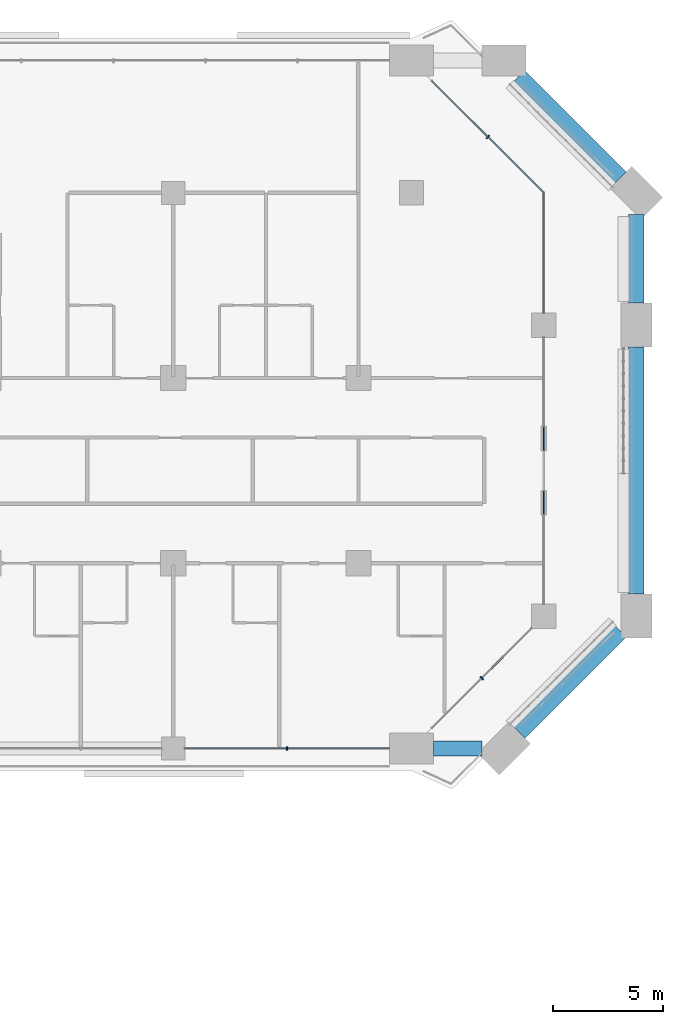
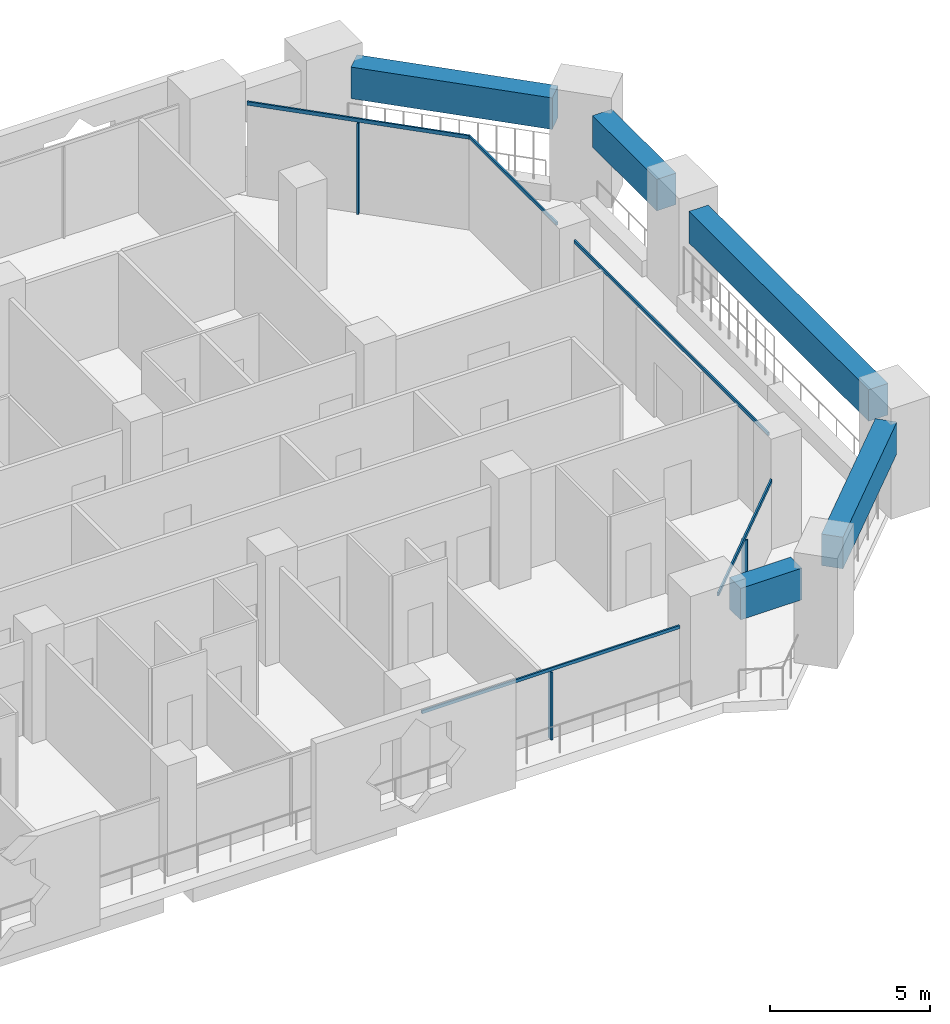
# One storey, part 7 of 25: 8 members, 5 beams, 4 elements without a shape of their own.
"""IFC4 building model written with IfcOpenShell, lengths in metres."""

from ifc_helpers import new_model, si_unit, direction, frame, origin, origin_2d, place, context, subcontext, project, spatial, rectangle, extrude, material, layer, layer_set, material_profile, profile_set, type_object, element, aggregate, save


model = new_model("IFC4")

# Units and contexts
model_context = context("Model", 3, precision=1e-05, world=origin(), true_north=direction((0.0, 1.0)))
body_context = subcontext(model_context, "Body", "Model", "MODEL_VIEW")
ifc_project = project(units=[si_unit("LENGTHUNIT", "METRE"), si_unit("AREAUNIT", "SQUARE_METRE"), si_unit("VOLUMEUNIT", "CUBIC_METRE"), si_unit("PLANEANGLEUNIT", "RADIAN"), si_unit("MASSUNIT", "GRAM", prefix="KILO")], contexts=[model_context])

# Site, building, storey
site_placement = place(None, origin())
site = spatial("IfcSite", under=ifc_project, at=site_placement, CompositionType="ELEMENT")
building_placement = place(site_placement, origin())
building = spatial("IfcBuilding", under=site, at=building_placement, Name="Kawkab Arch Medical Tower", CompositionType="ELEMENT")
storey_placement = place(building_placement, frame((0.0, 0.0, 111.39990234375)))
storey = spatial("IfcBuildingStorey", under=building, at=storey_placement, Name="L25", CompositionType="ELEMENT", Elevation=111.39990234375)

# Curtain wall, members
ifc_material_1 = material(Name="Bronze anodised aluminium curtain wall frame", Category="aluminium")
ifc_layer_1 = layer(ifc_material_1, 0.159912109375)
ifc_layer_set_1 = layer_set([ifc_layer_1], Name="Bronze anodised aluminium curtain wall frame")
curtain_wall_type_1 = type_object("IfcCurtainWallType", Name="CW1 ward curtain wall", PredefinedType="NOTDEFINED", material=ifc_layer_set_1)
placement = place(storey_placement, origin())
curtain_wall_1 = element("IfcCurtainWall", 1, at=placement, inside=storey, type_object=curtain_wall_type_1, Name="CW1 Ward curtain wall R07", PredefinedType="NOTDEFINED")
ifc_material_2 = material(Name="Bronze anodised aluminium curtain wall frame", Category="aluminium")
ifc_material_profile_1 = material_profile(ifc_material_2, rectangle(XDim=0.179931640625, YDim=0.06005859375, at=origin_2d()), Name="AL 60x180")
ifc_profile_set_1 = profile_set([ifc_material_profile_1], Name="Bronze anodised aluminium curtain wall frame")
member_type_1 = type_object("IfcMemberType", Name="CW1 mullion 60 x 180", PredefinedType="MULLION", material=ifc_profile_set_1)
member_1_placement = place(storey_placement, frame((63.96240234375, -25.199951171875, 0.0), z_axis=(0.0, 0.0, 1.0), x_axis=(0.0, 1.0, 0.0)))
member_1 = element("IfcMember", 2, at=member_1_placement, type_object=member_type_1, Name="CW1 mullion 4.1", PredefinedType="MULLION", context=body_context, shape_type="SweptSolid", body=[
    extrude(rectangle(XDim=0.179931640625, YDim=0.06005859375, at=origin_2d()), origin(), (0.0, 0.0, 1.0), 2.580078125),
])
ifc_material_3 = material(Name="Bronze anodised aluminium curtain wall frame", Category="aluminium")
ifc_material_profile_2 = material_profile(ifc_material_3, rectangle(XDim=0.06005859375, YDim=0.1201171875, at=origin_2d()), Name="AL 60x120")
ifc_profile_set_2 = profile_set([ifc_material_profile_2], Name="Bronze anodised aluminium curtain wall frame")
member_type_2 = type_object("IfcMemberType", Name="CW1 transom 120 x 60", PredefinedType="USERDEFINED", material=ifc_profile_set_2)
member_2_placement = place(storey_placement, frame((59.324951171875, -25.199951171875, 2.64013671875), z_axis=(1.0, 0.0, 0.0), x_axis=(0.0, 1.0, 0.0)))
member_2 = element("IfcMember", 3, at=member_2_placement, type_object=member_type_2, Name="CW1 transom 4", ObjectType="TRANSOM", PredefinedType="USERDEFINED", context=body_context, shape_type="SweptSolid", body=[
    extrude(rectangle(XDim=0.06005859375, YDim=0.1201171875, at=origin_2d()), origin(), (0.0, 0.0, 1.0), 9.275146484375),
])
aggregate(curtain_wall_1, [member_2, member_1])

curtain_wall_2 = element("IfcCurtainWall", 4, at=placement, inside=storey, type_object=curtain_wall_type_1, Name="CW1 Ward curtain wall R09", PredefinedType="NOTDEFINED")
member_3_placement = place(storey_placement, frame((75.60009765625, -18.64990234375, 3.5400390625), z_axis=(0.0, 1.0, 0.0), x_axis=(-1.0, 0.0, 0.0)))
member_3 = element("IfcMember", 5, at=member_3_placement, type_object=member_type_2, Name="CW1 transom 1", ObjectType="TRANSOM", PredefinedType="USERDEFINED", context=body_context, shape_type="SweptSolid", body=[
    extrude(rectangle(XDim=0.06005859375, YDim=0.1201171875, at=origin_2d()), origin(), (0.0, 0.0, 1.0), 12.099853515625),
])
member_4_placement = place(storey_placement, frame((75.60009765625, -5.449951171875, 3.5400390625), z_axis=(0.0, 1.0, 0.0), x_axis=(-1.0, 0.0, 0.0)))
member_4 = element("IfcMember", 6, at=member_4_placement, type_object=member_type_2, Name="CW1 transom 2", ObjectType="TRANSOM", PredefinedType="USERDEFINED", context=body_context, shape_type="SweptSolid", body=[
    extrude(rectangle(XDim=0.06005859375, YDim=0.1201171875, at=origin_2d()), origin(), (0.0, 0.0, 1.0), 5.449951171875),
])
aggregate(curtain_wall_2, [member_3, member_4])

# Curtain wall, member
ifc_material_4 = material(Name="Bronze anodised aluminium curtain wall frame", Category="aluminium")
ifc_layer_2 = layer(ifc_material_4, 0.159912109375)
ifc_layer_set_2 = layer_set([ifc_layer_2], Name="Bronze anodised aluminium curtain wall frame")
curtain_wall_type_2 = type_object("IfcCurtainWallType", Name="CW2 chamfer curtain wall", PredefinedType="NOTDEFINED", material=ifc_layer_set_2)
curtain_wall_3 = element("IfcCurtainWall", 7, at=placement, inside=storey, type_object=curtain_wall_type_2, Name="CW2 Chamfer curtain wall R08", PredefinedType="NOTDEFINED")
ifc_material_5 = material(Name="Bronze anodised aluminium curtain wall frame", Category="aluminium")
ifc_material_profile_3 = material_profile(ifc_material_5, rectangle(XDim=0.199951171875, YDim=0.06005859375, at=origin_2d()), Name="AL 60x200")
ifc_profile_set_3 = profile_set([ifc_material_profile_3], Name="Bronze anodised aluminium curtain wall frame")
member_type_3 = type_object("IfcMemberType", Name="CW2 mullion 60 x 200", PredefinedType="MULLION", material=ifc_profile_set_3)
member_5_placement = place(storey_placement, frame((72.790283203125, -22.009765625, 0.0), z_axis=(0.0, 0.0, 1.0), x_axis=(-0.707106781187, 0.707106781187, 0.0)))
member_5 = element("IfcMember", 8, at=member_5_placement, type_object=member_type_3, Name="CW2 mullion 1.1", PredefinedType="MULLION", context=body_context, shape_type="SweptSolid", body=[
    extrude(rectangle(XDim=0.199951171875, YDim=0.06005859375, at=origin_2d()), origin(), (0.0, 0.0, 1.0), 2.56005859375),
])

curtain_wall_4 = element("IfcCurtainWall", 9, at=placement, inside=storey, type_object=curtain_wall_type_2, Name="CW2 Chamfer curtain wall R10", PredefinedType="NOTDEFINED")
member_6_placement = place(storey_placement, frame((73.065185546875, 2.534912109375, 0.0), z_axis=(0.0, 0.0, 1.0), x_axis=(-0.707106781187, -0.707106781187, 0.0)))
member_6 = element("IfcMember", 10, at=member_6_placement, type_object=member_type_3, Name="CW2 mullion 1.1", PredefinedType="MULLION", context=body_context, shape_type="SweptSolid", body=[
    extrude(rectangle(XDim=0.199951171875, YDim=0.06005859375, at=origin_2d()), origin(), (0.0, 0.0, 1.0), 3.460205078125),
])

# Member
ifc_material_6 = material(Name="Bronze anodised aluminium curtain wall frame", Category="aluminium")
ifc_material_profile_4 = material_profile(ifc_material_6, rectangle(XDim=0.06005859375, YDim=0.139892578125, at=origin_2d()), Name="AL 60x140")
ifc_profile_set_4 = profile_set([ifc_material_profile_4], Name="Bronze anodised aluminium curtain wall frame")
member_type_4 = type_object("IfcMemberType", Name="CW2 transom 140 x 60", PredefinedType="USERDEFINED", material=ifc_profile_set_4)
member_7_placement = place(storey_placement, frame((70.5302734375, -24.269775390625, 2.630126953125), z_axis=(0.707106781187, 0.707106781187, 0.0), x_axis=(-0.707106781187, 0.707106781187, 0.0)))
member_7 = element("IfcMember", 11, at=member_7_placement, type_object=member_type_4, Name="CW2 transom 1", ObjectType="TRANSOM", PredefinedType="USERDEFINED", context=body_context, shape_type="SweptSolid", body=[
    extrude(rectangle(XDim=0.06005859375, YDim=0.139892578125, at=origin_2d()), origin(), (0.0, 0.0, 1.0), 6.391845703125),
])

aggregate(curtain_wall_3, [member_7, member_5])

member_8_placement = place(storey_placement, frame((75.60009765625, 0.0, 3.530029296875), z_axis=(-0.707123806981, 0.707089754982, 0.0), x_axis=(-0.707089754982, -0.707123806981, 0.0)))
member_8 = element("IfcMember", 12, at=member_8_placement, type_object=member_type_4, Name="CW2 transom 1", ObjectType="TRANSOM", PredefinedType="USERDEFINED", context=body_context, shape_type="SweptSolid", body=[
    extrude(rectangle(XDim=0.06005859375, YDim=0.139892578125, at=origin_2d()), origin(), (0.0, 0.0, 1.0), 7.169677734375),
])

aggregate(curtain_wall_4, [member_8, member_6])

# Beams
ifc_material_7 = material(Name="Concrete C55/67", Category="concrete")
ifc_material_profile_5 = material_profile(ifc_material_7, rectangle(XDim=0.699951171875, YDim=1.199951171875, at=origin_2d()), Name="RC 700x1200")
ifc_profile_set_5 = profile_set([ifc_material_profile_5], Name="Concrete C55/67")
beam_type = type_object("IfcBeamType", Name="RC 700x1200 beam C55/67", PredefinedType="BEAM", material=ifc_profile_set_5)
beam_1_placement = place(storey_placement, frame((74.5, 5.300048828125, 3.0), z_axis=(0.707106781187, -0.707106781187, 0.0), x_axis=(0.707106781187, 0.707106781187, 0.0)))
element("IfcBeam", 13, at=beam_1_placement, inside=storey, type_object=beam_type, Name="Terrace frame beam TF-L25-1-L26-02", PredefinedType="BEAM", context=body_context, shape_type="SweptSolid", body=[
    extrude(rectangle(XDim=0.699951171875, YDim=1.199951171875, at=origin_2d()), origin(), (0.0, 0.0, 1.0), 6.49560546875),
])
beam_2_placement = place(storey_placement, frame((79.800048828125, -0.989990234375, 3.0), z_axis=(0.0, -1.0, 0.0), x_axis=(1.0, 0.0, 0.0)))
element("IfcBeam", 14, at=beam_2_placement, inside=storey, type_object=beam_type, Name="Terrace frame beam TF-L25-1-L26-03", PredefinedType="BEAM", context=body_context, shape_type="SweptSolid", body=[
    extrude(rectangle(XDim=0.699951171875, YDim=1.199951171875, at=origin_2d()), origin(), (0.0, 0.0, 1.0), 4.010009765625),
])
beam_3_placement = place(storey_placement, frame((79.800048828125, -7.0, 3.0), z_axis=(0.0, -1.0, 0.0), x_axis=(1.0, 0.0, 0.0)))
element("IfcBeam", 15, at=beam_3_placement, inside=storey, type_object=beam_type, Name="Terrace frame beam TF-L25-1-L26-04", PredefinedType="BEAM", context=body_context, shape_type="SweptSolid", body=[
    extrude(rectangle(XDim=0.699951171875, YDim=1.199951171875, at=origin_2d()), origin(), (0.0, 0.0, 1.0), 11.199951171875),
])
beam_4_placement = place(storey_placement, frame((79.10009765625, -19.89990234375, 3.0), z_axis=(-0.707106781187, -0.707106781187, 0.0), x_axis=(0.707106781187, -0.707106781187, 0.0)))
element("IfcBeam", 16, at=beam_4_placement, inside=storey, type_object=beam_type, Name="Terrace frame beam TF-L25-1-L26-05", PredefinedType="BEAM", context=body_context, shape_type="SweptSolid", body=[
    extrude(rectangle(XDim=0.699951171875, YDim=1.199951171875, at=origin_2d()), origin(), (0.0, 0.0, 1.0), 6.49560546875),
])
beam_5_placement = place(storey_placement, frame((72.81005859375, -25.199951171875, 3.0), z_axis=(-1.0, 0.0, 0.0), x_axis=(0.0, -1.0, 0.0)))
element("IfcBeam", 17, at=beam_5_placement, inside=storey, type_object=beam_type, Name="Terrace frame beam TF-L25-1-L26-06", PredefinedType="BEAM", context=body_context, shape_type="SweptSolid", body=[
    extrude(rectangle(XDim=0.699951171875, YDim=1.199951171875, at=origin_2d()), origin(), (0.0, 0.0, 1.0), 2.2099609375),
])

save(model, "model.ifc")
